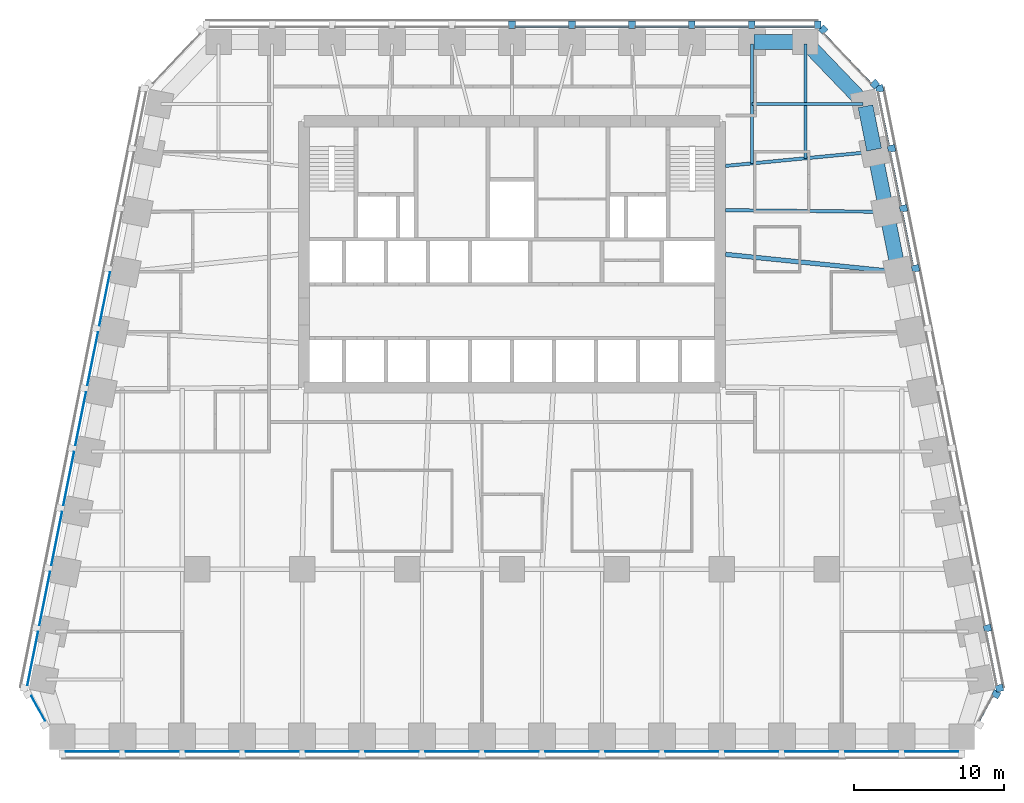
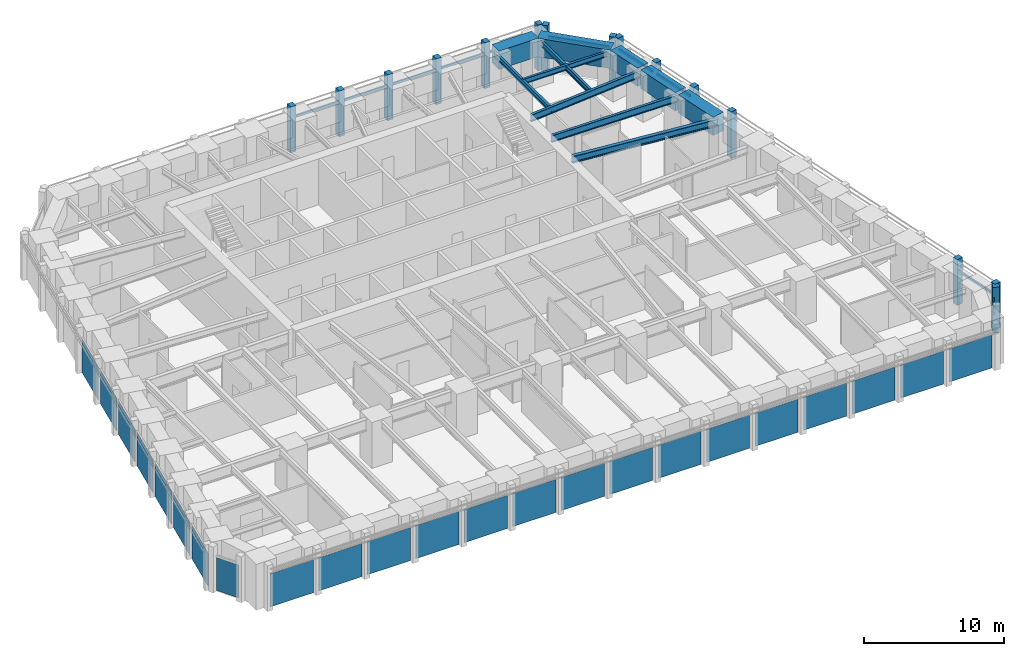
# One storey, part 4 of 10: 26 members, 23 plates, 11 beams, 7 elements without a shape of their own.
"""IFC4 building model written with IfcOpenShell, lengths in metres."""

from ifc_helpers import new_model, si_unit, direction, frame, origin, origin_2d, place, context, subcontext, project, spatial, rectangle, i_section, extrude, material, layer, layer_set, material_profile, profile_set, type_object, element, aggregate, save


model = new_model("IFC4")

# Units and contexts
model_context = context("Model", 3, precision=1e-05, world=origin(), true_north=direction((0.0, 1.0)))
body_context = subcontext(model_context, "Body", "Model", "MODEL_VIEW")
ifc_project = project(units=[si_unit("LENGTHUNIT", "METRE"), si_unit("AREAUNIT", "SQUARE_METRE"), si_unit("VOLUMEUNIT", "CUBIC_METRE"), si_unit("PLANEANGLEUNIT", "RADIAN"), si_unit("MASSUNIT", "GRAM", prefix="KILO")], contexts=[model_context])

# Site, building, storey
site_placement = place(None, origin())
site = spatial("IfcSite", under=ifc_project, at=site_placement, CompositionType="ELEMENT")
building_placement = place(site_placement, origin())
building = spatial("IfcBuilding", under=site, at=building_placement, Name="Isbrekke Arena Tower", CompositionType="ELEMENT")
storey_placement = place(building_placement, frame((0.0, 0.0, 115.0)))
storey = spatial("IfcBuildingStorey", under=building, at=storey_placement, Name="L25", CompositionType="ELEMENT", Elevation=115.0)

# Beams
ifc_material_1 = material(Name="Steel S355", Category="steel")
ifc_material_profile_1 = material_profile(ifc_material_1, i_section(OverallWidth=0.219970703125, OverallDepth=0.60009765625, WebThickness=0.011962890625, FlangeThickness=0.01904296875, FilletRadius=0.02392578125, at=origin_2d()), Name="IPE 600")
ifc_profile_set_1 = profile_set([ifc_material_profile_1], Name="Steel S355")
beam_type_1 = type_object("IfcBeamType", Name="B1 IPE 600", PredefinedType="BEAM", material=ifc_profile_set_1)
beam_1_placement = place(storey_placement, frame((24.83984375, 17.838134765625, 3.550048828125), z_axis=(-0.999944260169, 0.010558245831, 0.0), x_axis=(-0.010558245831, -0.999944260169, 0.0)))
element("IfcBeam", 1, at=beam_1_placement, inside=storey, type_object=beam_type_1, Name="B1 beam E-E09 L25", PredefinedType="BEAM", context=body_context, shape_type="SweptSolid", body=[
    extrude(i_section(OverallWidth=0.219970703125, OverallDepth=0.60009765625, WebThickness=0.011962890625, FlangeThickness=0.01904296875, FilletRadius=0.02392578125, at=origin_2d()), origin(), (0.0, 0.0, 1.0), 10.59033203125),
])
beam_2_placement = place(storey_placement, frame((24.030517578125, 21.837158203125, 3.550048828125), z_axis=(-0.995439798606, -0.095391862082, 0.0), x_axis=(0.095391862082, -0.995439798606, 0.0)))
element("IfcBeam", 2, at=beam_2_placement, inside=storey, type_object=beam_type_1, Name="B1 beam E-E10 L25", PredefinedType="BEAM", context=body_context, shape_type="SweptSolid", body=[
    extrude(i_section(OverallWidth=0.219970703125, OverallDepth=0.60009765625, WebThickness=0.011962890625, FlangeThickness=0.01904296875, FilletRadius=0.02392578125, at=origin_2d()), origin(), (0.0, 0.0, 1.0), 9.825439453125),
])
ifc_material_2 = material(Name="Steel S355", Category="steel")
ifc_material_profile_2 = material_profile(ifc_material_2, i_section(OverallWidth=0.18994140625, OverallDepth=0.449951171875, WebThickness=0.009521484375, FlangeThickness=0.0146484375, FilletRadius=0.02099609375, at=origin_2d()), Name="IPE 450")
ifc_profile_set_2 = profile_set([ifc_material_profile_2], Name="Steel S355")
beam_type_2 = type_object("IfcBeamType", Name="B2 IPE 450", PredefinedType="BEAM", material=ifc_profile_set_2)
beam_3_placement = place(storey_placement, frame((23.40283203125, 25.029296875, 3.625), z_axis=(-1.0, 0.0, 0.0), x_axis=(0.0, -1.0, 0.0)))
element("IfcBeam", 3, at=beam_3_placement, inside=storey, type_object=beam_type_2, Name="B2 beam E-E11 L25", PredefinedType="BEAM", context=body_context, shape_type="SweptSolid", body=[
    extrude(i_section(OverallWidth=0.18994140625, OverallDepth=0.449951171875, WebThickness=0.009521484375, FlangeThickness=0.0146484375, FilletRadius=0.02099609375, at=origin_2d()), origin(), (0.0, 0.0, 1.0), 7.40283203125),
])
ifc_material_3 = material(Name="Steel S355", Category="steel")
ifc_material_profile_3 = material_profile(ifc_material_3, i_section(OverallWidth=0.18994140625, OverallDepth=0.449951171875, WebThickness=0.009521484375, FlangeThickness=0.0146484375, FilletRadius=0.02099609375, at=origin_2d()), Name="IPE 450")
ifc_profile_set_3 = profile_set([ifc_material_profile_3], Name="Steel S355")
beam_type_3 = type_object("IfcBeamType", Name="B3 IPE 450", PredefinedType="BEAM", material=ifc_profile_set_3)
beam_4_placement = place(storey_placement, frame((19.574951171875, 29.02490234375, 3.625), z_axis=(0.0, -1.0, 0.0), x_axis=(1.0, 0.0, 0.0)))
element("IfcBeam", 4, at=beam_4_placement, inside=storey, type_object=beam_type_3, Name="B3 beam N-N01 L25", PredefinedType="BEAM", context=body_context, shape_type="SweptSolid", body=[
    extrude(i_section(OverallWidth=0.18994140625, OverallDepth=0.449951171875, WebThickness=0.009521484375, FlangeThickness=0.0146484375, FilletRadius=0.02099609375, at=origin_2d()), origin(), (0.0, 0.0, 1.0), 7.61474609375),
])
beam_5_placement = place(storey_placement, frame((16.0, 29.02490234375, 3.625), z_axis=(0.0, -1.0, 0.0), x_axis=(1.0, 0.0, 0.0)))
element("IfcBeam", 5, at=beam_5_placement, inside=storey, type_object=beam_type_3, Name="B3 beam N-N02 L25", PredefinedType="BEAM", context=body_context, shape_type="SweptSolid", body=[
    extrude(i_section(OverallWidth=0.18994140625, OverallDepth=0.449951171875, WebThickness=0.009521484375, FlangeThickness=0.0146484375, FilletRadius=0.02099609375, at=origin_2d()), origin(), (0.0, 0.0, 1.0), 7.957275390625),
])
ifc_material_4 = material(Name="Steel S355", Category="steel")
ifc_material_profile_4 = material_profile(ifc_material_4, i_section(OverallWidth=0.300048828125, OverallDepth=0.60009765625, WebThickness=0.015380859375, FlangeThickness=0.030029296875, FilletRadius=0.027099609375, at=origin_2d()), Name="HEB 600")
ifc_profile_set_4 = profile_set([ifc_material_profile_4], Name="Steel S355")
beam_type_4 = type_object("IfcBeamType", Name="B7 HEB 600", PredefinedType="BEAM", material=ifc_profile_set_4)
beam_6_placement = place(storey_placement, frame((25.6259765625, 13.83984375, 3.550048828125), z_axis=(-0.994839949319, 0.10145676537, 0.0), x_axis=(-0.10145676537, -0.994839949319, 0.0)))
element("IfcBeam", 6, at=beam_6_placement, inside=storey, type_object=beam_type_4, Name="B7 beam E-E08 L25", PredefinedType="BEAM", context=body_context, shape_type="SweptSolid", body=[
    extrude(i_section(OverallWidth=0.300048828125, OverallDepth=0.60009765625, WebThickness=0.015380859375, FlangeThickness=0.030029296875, FilletRadius=0.027099609375, at=origin_2d()), origin(), (0.0, 0.0, 1.0), 11.43505859375),
])

# Curtain wall, member
ifc_material_5 = material(Name="Glazed aluminium curtain wall", Category="aluminium")
curtain_wall_type = type_object("IfcCurtainWallType", Name="CWM TOWER CURTAIN WALL MID ZONE", PredefinedType="USERDEFINED", material=ifc_material_5)
curtain_wall_1_placement = place(storey_placement, origin())
curtain_wall_1 = element("IfcCurtainWall", 7, at=curtain_wall_1_placement, inside=storey, type_object=curtain_wall_type, Name="CWM curtain wall L25-SE", ObjectType="TOWER CURTAIN WALL MID ZONE", PredefinedType="USERDEFINED")
ifc_material_6 = material(Name="Aluminium mullion, pale brick slip cladding", Category="masonry")
ifc_material_profile_5 = material_profile(ifc_material_6, rectangle(XDim=0.449951171875, YDim=0.5, at=origin_2d()), Name="PIER 450X500")
ifc_profile_set_5 = profile_set([ifc_material_profile_5], Name="Aluminium mullion, pale brick slip cladding")
member_type_1 = type_object("IfcMemberType", Name="CWM-M PIER MULLION 450 x 500", PredefinedType="MULLION", material=ifc_profile_set_5)
member_1_placement = place(storey_placement, frame((32.296142578125, -14.34375, 0.0), z_axis=(0.0, 0.0, 1.0), x_axis=(0.481918749773, 0.876215908676, 0.0)))
member_1 = element("IfcMember", 8, at=member_1_placement, type_object=member_type_1, Name="CWM-M mullion 2", PredefinedType="MULLION", context=body_context, shape_type="SweptSolid", body=[
    extrude(rectangle(XDim=0.449951171875, YDim=0.5, at=origin_2d()), origin(), (0.0, 0.0, 1.0), 4.0),
])

# Curtain wall, members
curtain_wall_2_placement = place(storey_placement, origin())
curtain_wall_2 = element("IfcCurtainWall", 9, at=curtain_wall_2_placement, inside=storey, type_object=curtain_wall_type, Name="CWM curtain wall L25-E", ObjectType="TOWER CURTAIN WALL MID ZONE", PredefinedType="USERDEFINED")
member_2_placement = place(storey_placement, frame((32.518798828125, -13.936279296875, 0.0), z_axis=(0.0, 0.0, 1.0), x_axis=(-0.196116135138, 0.980580675691, 0.0)))
member_2 = element("IfcMember", 10, at=member_2_placement, type_object=member_type_1, Name="CWM-M mullion 1", PredefinedType="MULLION", context=body_context, shape_type="SweptSolid", body=[
    extrude(rectangle(XDim=0.449951171875, YDim=0.5, at=origin_2d()), origin(), (0.0, 0.0, 1.0), 4.0),
])
member_3_placement = place(storey_placement, frame((31.71875, -9.936279296875, 0.0), z_axis=(0.0, 0.0, 1.0), x_axis=(-0.196116135138, 0.980580675691, 0.0)))
member_3 = element("IfcMember", 11, at=member_3_placement, type_object=member_type_1, Name="CWM-M mullion 2", PredefinedType="MULLION", context=body_context, shape_type="SweptSolid", body=[
    extrude(rectangle(XDim=0.449951171875, YDim=0.5, at=origin_2d()), origin(), (0.0, 0.0, 1.0), 4.0),
])
member_4_placement = place(storey_placement, frame((26.918701171875, 14.063720703125, 0.0), z_axis=(0.0, 0.0, 1.0), x_axis=(-0.196116135138, 0.980580675691, 0.0)))
member_4 = element("IfcMember", 12, at=member_4_placement, type_object=member_type_1, Name="CWM-M mullion 8", PredefinedType="MULLION", context=body_context, shape_type="SweptSolid", body=[
    extrude(rectangle(XDim=0.449951171875, YDim=0.5, at=origin_2d()), origin(), (0.0, 0.0, 1.0), 4.0),
])
member_5_placement = place(storey_placement, frame((26.11865234375, 18.063720703125, 0.0), z_axis=(0.0, 0.0, 1.0), x_axis=(-0.196116135138, 0.980580675691, 0.0)))
member_5 = element("IfcMember", 13, at=member_5_placement, type_object=member_type_1, Name="CWM-M mullion 9", PredefinedType="MULLION", context=body_context, shape_type="SweptSolid", body=[
    extrude(rectangle(XDim=0.449951171875, YDim=0.5, at=origin_2d()), origin(), (0.0, 0.0, 1.0), 4.0),
])
member_6_placement = place(storey_placement, frame((25.318603515625, 22.063720703125, 0.0), z_axis=(0.0, 0.0, 1.0), x_axis=(-0.196116135138, 0.980580675691, 0.0)))
member_6 = element("IfcMember", 14, at=member_6_placement, type_object=member_type_1, Name="CWM-M mullion 10", PredefinedType="MULLION", context=body_context, shape_type="SweptSolid", body=[
    extrude(rectangle(XDim=0.449951171875, YDim=0.5, at=origin_2d()), origin(), (0.0, 0.0, 1.0), 4.0),
])
member_7_placement = place(storey_placement, frame((24.518798828125, 26.063720703125, 0.0), z_axis=(0.0, 0.0, 1.0), x_axis=(-0.196116135138, 0.980580675691, 0.0)))
member_7 = element("IfcMember", 15, at=member_7_placement, type_object=member_type_1, Name="CWM-M mullion 11", PredefinedType="MULLION", context=body_context, shape_type="SweptSolid", body=[
    extrude(rectangle(XDim=0.449951171875, YDim=0.5, at=origin_2d()), origin(), (0.0, 0.0, 1.0), 4.0),
])

curtain_wall_3_placement = place(storey_placement, origin())
curtain_wall_3 = element("IfcCurtainWall", 16, at=curtain_wall_3_placement, inside=storey, type_object=curtain_wall_type, Name="CWM curtain wall L25-EN", ObjectType="TOWER CURTAIN WALL MID ZONE", PredefinedType="USERDEFINED")
member_8_placement = place(storey_placement, frame((24.208251953125, 26.354248046875, 0.0), z_axis=(0.0, 0.0, 1.0), x_axis=(-0.68874946192, 0.72499943359, 0.0)))
member_8 = element("IfcMember", 17, at=member_8_placement, type_object=member_type_1, Name="CWM-M mullion 1", PredefinedType="MULLION", context=body_context, shape_type="SweptSolid", body=[
    extrude(rectangle(XDim=0.449951171875, YDim=0.5, at=origin_2d()), origin(), (0.0, 0.0, 1.0), 4.0),
])
member_9_placement = place(storey_placement, frame((20.7587890625, 29.9853515625, 0.0), z_axis=(0.0, 0.0, 1.0), x_axis=(-0.68874946192, 0.72499943359, 0.0)))
member_9 = element("IfcMember", 18, at=member_9_placement, type_object=member_type_1, Name="CWM-M mullion 2", PredefinedType="MULLION", context=body_context, shape_type="SweptSolid", body=[
    extrude(rectangle(XDim=0.449951171875, YDim=0.5, at=origin_2d()), origin(), (0.0, 0.0, 1.0), 4.0),
])

curtain_wall_4_placement = place(storey_placement, origin())
curtain_wall_4 = element("IfcCurtainWall", 19, at=curtain_wall_4_placement, inside=storey, type_object=curtain_wall_type, Name="CWM curtain wall L25-N", ObjectType="TOWER CURTAIN WALL MID ZONE", PredefinedType="USERDEFINED")
member_10_placement = place(storey_placement, frame((20.39990234375, 30.324951171875, 0.0), z_axis=(0.0, 0.0, 1.0), x_axis=(-1.0, 0.0, 0.0)))
member_10 = element("IfcMember", 20, at=member_10_placement, type_object=member_type_1, Name="CWM-M mullion 1", PredefinedType="MULLION", context=body_context, shape_type="SweptSolid", body=[
    extrude(rectangle(XDim=0.449951171875, YDim=0.5, at=origin_2d()), origin(), (0.0, 0.0, 1.0), 4.0),
])
member_11_placement = place(storey_placement, frame((16.0, 30.324951171875, 0.0), z_axis=(0.0, 0.0, 1.0), x_axis=(-1.0, 0.0, 0.0)))
member_11 = element("IfcMember", 21, at=member_11_placement, type_object=member_type_1, Name="CWM-M mullion 2", PredefinedType="MULLION", context=body_context, shape_type="SweptSolid", body=[
    extrude(rectangle(XDim=0.449951171875, YDim=0.5, at=origin_2d()), origin(), (0.0, 0.0, 1.0), 4.0),
])
member_12_placement = place(storey_placement, frame((12.0, 30.324951171875, 0.0), z_axis=(0.0, 0.0, 1.0), x_axis=(-1.0, 0.0, 0.0)))
member_12 = element("IfcMember", 22, at=member_12_placement, type_object=member_type_1, Name="CWM-M mullion 3", PredefinedType="MULLION", context=body_context, shape_type="SweptSolid", body=[
    extrude(rectangle(XDim=0.449951171875, YDim=0.5, at=origin_2d()), origin(), (0.0, 0.0, 1.0), 4.0),
])
member_13_placement = place(storey_placement, frame((8.0, 30.324951171875, 0.0), z_axis=(0.0, 0.0, 1.0), x_axis=(-1.0, 0.0, 0.0)))
member_13 = element("IfcMember", 23, at=member_13_placement, type_object=member_type_1, Name="CWM-M mullion 4", PredefinedType="MULLION", context=body_context, shape_type="SweptSolid", body=[
    extrude(rectangle(XDim=0.449951171875, YDim=0.5, at=origin_2d()), origin(), (0.0, 0.0, 1.0), 4.0),
])
member_14_placement = place(storey_placement, frame((4.0, 30.324951171875, 0.0), z_axis=(0.0, 0.0, 1.0), x_axis=(-1.0, 0.0, 0.0)))
member_14 = element("IfcMember", 24, at=member_14_placement, type_object=member_type_1, Name="CWM-M mullion 5", PredefinedType="MULLION", context=body_context, shape_type="SweptSolid", body=[
    extrude(rectangle(XDim=0.449951171875, YDim=0.5, at=origin_2d()), origin(), (0.0, 0.0, 1.0), 4.0),
])
member_15_placement = place(storey_placement, frame((0.0, 30.324951171875, 0.0), z_axis=(0.0, 0.0, 1.0), x_axis=(-1.0, 0.0, 0.0)))
member_15 = element("IfcMember", 25, at=member_15_placement, type_object=member_type_1, Name="CWM-M mullion 6", PredefinedType="MULLION", context=body_context, shape_type="SweptSolid", body=[
    extrude(rectangle(XDim=0.449951171875, YDim=0.5, at=origin_2d()), origin(), (0.0, 0.0, 1.0), 4.0),
])

# Member
ifc_material_7 = material(Name="Aluminium transom", Category="aluminium")
ifc_material_profile_6 = material_profile(ifc_material_7, rectangle(XDim=0.1201171875, YDim=0.199951171875, at=origin_2d()), Name="TRANSOM 120X200")
ifc_profile_set_6 = profile_set([ifc_material_profile_6], Name="Aluminium transom")
member_type_2 = type_object("IfcMemberType", Name="CWM-T TRANSOM 120 x 200", PredefinedType="USERDEFINED", material=ifc_profile_set_6)
member_16_placement = place(storey_placement, frame((31.152099609375, -16.112548828125, 3.0), z_axis=(0.482003669577, 0.876169197424, 0.0), x_axis=(-0.876169197424, 0.482003669577, 0.0)))
member_16 = element("IfcMember", 26, at=member_16_placement, type_object=member_type_2, Name="CWM-T transom 1", ObjectType="TRANSOM", PredefinedType="USERDEFINED", context=body_context, shape_type="SweptSolid", body=[
    extrude(rectangle(XDim=0.1201171875, YDim=0.199951171875, at=origin_2d()), origin(), (0.0, 0.0, 1.0), 1.876220703125),
])

aggregate(curtain_wall_1, [member_1, member_16])

member_17_placement = place(storey_placement, frame((32.327392578125, -13.7451171875, 3.0), z_axis=(-0.196090262229, 0.980585849918, 0.0), x_axis=(-0.980585849918, -0.196090262229, 0.0)))
member_17 = element("IfcMember", 27, at=member_17_placement, type_object=member_type_2, Name="CWM-T transom 1", ObjectType="TRANSOM", PredefinedType="USERDEFINED", context=body_context, shape_type="SweptSolid", body=[
    extrude(rectangle(XDim=0.1201171875, YDim=0.199951171875, at=origin_2d()), origin(), (0.0, 0.0, 1.0), 3.62939453125),
])

member_18_placement = place(storey_placement, frame((26.7275390625, 14.2548828125, 3.0), z_axis=(-0.196154943734, 0.980572913173, 0.0), x_axis=(-0.980572913173, -0.196154943734, 0.0)))
member_18 = element("IfcMember", 28, at=member_18_placement, type_object=member_type_2, Name="CWM-T transom 8", ObjectType="TRANSOM", PredefinedType="USERDEFINED", context=body_context, shape_type="SweptSolid", body=[
    extrude(rectangle(XDim=0.1201171875, YDim=0.199951171875, at=origin_2d()), origin(), (0.0, 0.0, 1.0), 3.62939453125),
])

member_19_placement = place(storey_placement, frame((25.927490234375, 18.2548828125, 3.0), z_axis=(-0.196090262229, 0.980585849918, 0.0), x_axis=(-0.980585849918, -0.196090262229, 0.0)))
member_19 = element("IfcMember", 29, at=member_19_placement, type_object=member_type_2, Name="CWM-T transom 9", ObjectType="TRANSOM", PredefinedType="USERDEFINED", context=body_context, shape_type="SweptSolid", body=[
    extrude(rectangle(XDim=0.1201171875, YDim=0.199951171875, at=origin_2d()), origin(), (0.0, 0.0, 1.0), 3.62939453125),
])

member_20_placement = place(storey_placement, frame((25.12744140625, 22.2548828125, 3.0), z_axis=(-0.196090262229, 0.980585849918, 0.0), x_axis=(-0.980585849918, -0.196090262229, 0.0)))
member_20 = element("IfcMember", 30, at=member_20_placement, type_object=member_type_2, Name="CWM-T transom 10", ObjectType="TRANSOM", PredefinedType="USERDEFINED", context=body_context, shape_type="SweptSolid", body=[
    extrude(rectangle(XDim=0.1201171875, YDim=0.199951171875, at=origin_2d()), origin(), (0.0, 0.0, 1.0), 3.62939453125),
])

aggregate(curtain_wall_2, [member_2, member_3, member_4, member_5, member_6, member_7, member_17, member_18, member_19, member_20])

member_21_placement = place(storey_placement, frame((23.944580078125, 26.4140625, 3.0), z_axis=(-0.688771983213, 0.724978037696, 0.0), x_axis=(-0.724978037696, -0.688771983213, 0.0)))
member_21 = element("IfcMember", 31, at=member_21_placement, type_object=member_type_2, Name="CWM-T transom 1", ObjectType="TRANSOM", PredefinedType="USERDEFINED", context=body_context, shape_type="SweptSolid", body=[
    extrude(rectangle(XDim=0.1201171875, YDim=0.199951171875, at=origin_2d()), origin(), (0.0, 0.0, 1.0), 4.558349609375),
])

aggregate(curtain_wall_3, [member_8, member_9, member_21])

member_22_placement = place(storey_placement, frame((20.175048828125, 30.175048828125, 3.0), z_axis=(-1.0, 0.0, 0.0), x_axis=(0.0, -1.0, 0.0)))
member_22 = element("IfcMember", 32, at=member_22_placement, type_object=member_type_2, Name="CWM-T transom 1", ObjectType="TRANSOM", PredefinedType="USERDEFINED", context=body_context, shape_type="SweptSolid", body=[
    extrude(rectangle(XDim=0.1201171875, YDim=0.199951171875, at=origin_2d()), origin(), (0.0, 0.0, 1.0), 3.949951171875),
])

member_23_placement = place(storey_placement, frame((15.77490234375, 30.175048828125, 3.0), z_axis=(-1.0, 0.0, 0.0), x_axis=(0.0, -1.0, 0.0)))
member_23 = element("IfcMember", 33, at=member_23_placement, type_object=member_type_2, Name="CWM-T transom 2", ObjectType="TRANSOM", PredefinedType="USERDEFINED", context=body_context, shape_type="SweptSolid", body=[
    extrude(rectangle(XDim=0.1201171875, YDim=0.199951171875, at=origin_2d()), origin(), (0.0, 0.0, 1.0), 3.5498046875),
])

member_24_placement = place(storey_placement, frame((11.77490234375, 30.175048828125, 3.0), z_axis=(-1.0, 0.0, 0.0), x_axis=(0.0, -1.0, 0.0)))
member_24 = element("IfcMember", 34, at=member_24_placement, type_object=member_type_2, Name="CWM-T transom 3", ObjectType="TRANSOM", PredefinedType="USERDEFINED", context=body_context, shape_type="SweptSolid", body=[
    extrude(rectangle(XDim=0.1201171875, YDim=0.199951171875, at=origin_2d()), origin(), (0.0, 0.0, 1.0), 3.5498046875),
])

member_25_placement = place(storey_placement, frame((7.77490234375, 30.175048828125, 3.0), z_axis=(-1.0, 0.0, 0.0), x_axis=(0.0, -1.0, 0.0)))
member_25 = element("IfcMember", 35, at=member_25_placement, type_object=member_type_2, Name="CWM-T transom 4", ObjectType="TRANSOM", PredefinedType="USERDEFINED", context=body_context, shape_type="SweptSolid", body=[
    extrude(rectangle(XDim=0.1201171875, YDim=0.199951171875, at=origin_2d()), origin(), (0.0, 0.0, 1.0), 3.5498046875),
])

member_26_placement = place(storey_placement, frame((3.77490234375, 30.175048828125, 3.0), z_axis=(-1.0, 0.0, 0.0), x_axis=(0.0, -1.0, 0.0)))
member_26 = element("IfcMember", 36, at=member_26_placement, type_object=member_type_2, Name="CWM-T transom 5", ObjectType="TRANSOM", PredefinedType="USERDEFINED", context=body_context, shape_type="SweptSolid", body=[
    extrude(rectangle(XDim=0.1201171875, YDim=0.199951171875, at=origin_2d()), origin(), (0.0, 0.0, 1.0), 3.5498046875),
])

aggregate(curtain_wall_4, [member_10, member_11, member_12, member_13, member_14, member_15, member_22, member_23, member_24, member_25, member_26])

# Beams
ifc_material_8 = material(Name="Concrete B80 (C80/95)", Category="concrete")
ifc_material_profile_7 = material_profile(ifc_material_8, rectangle(XDim=1.0, YDim=1.60009765625, at=origin_2d()), Name="RC 1000x1600")
ifc_profile_set_7 = profile_set([ifc_material_profile_7], Name="Concrete B80 (C80/95)")
beam_type_5 = type_object("IfcBeamType", Name="SB2 RC 1000 x 1600", PredefinedType="SPANDREL", material=ifc_profile_set_7)
for number, where, z_axis, x_axis, name in (
    (37, (25.76171875, 13.9853515625, 3.199951171875), (-0.196128558387, 0.980578190959, 0.0), (-0.980578190959, -0.196128558387, 0.0), "SB2 spandrel E08-E09 L25"),
    (38, (24.961669921875, 17.9853515625, 3.199951171875), (-0.196128558387, 0.980578190959, 0.0), (-0.980578190959, -0.196128558387, 0.0), "SB2 spandrel E09-E10 L25"),
):
    element("IfcBeam", number, at=place(storey_placement, frame(where, z_axis=z_axis, x_axis=x_axis)), inside=storey, type_object=beam_type_5, Name=name, PredefinedType="SPANDREL", context=body_context, shape_type="SweptSolid", body=[
        extrude(rectangle(XDim=1.0, YDim=1.60009765625, at=origin_2d()), origin(), (0.0, 0.0, 1.0), 3.779296875),
    ])
beam_7_placement = place(storey_placement, frame((24.16162109375, 21.9853515625, 3.199951171875), z_axis=(-0.196116135138, 0.980580675691, 0.0), x_axis=(-0.980580675691, -0.196116135138, 0.0)))
element("IfcBeam", 39, at=beam_7_placement, inside=storey, type_object=beam_type_5, Name="SB2 spandrel E10-E11 L25", PredefinedType="SPANDREL", context=body_context, shape_type="SweptSolid", body=[
    extrude(rectangle(XDim=1.0, YDim=1.60009765625, at=origin_2d()), origin(), (0.0, 0.0, 1.0), 2.9541015625),
])
beam_8_placement = place(storey_placement, frame((23.448974609375, 25.137451171875, 3.199951171875), z_axis=(-0.692339547635, 0.721571861134, 0.0), x_axis=(-0.721571861134, -0.692339547635, 0.0)))
element("IfcBeam", 40, at=beam_8_placement, inside=storey, type_object=beam_type_5, Name="SB2 spandrel E11-N01 L25", PredefinedType="SPANDREL", context=body_context, shape_type="SweptSolid", body=[
    extrude(rectangle(XDim=1.0, YDim=1.60009765625, at=origin_2d()), origin(), (0.0, 0.0, 1.0), 5.4453125),
])
beam_9_placement = place(storey_placement, frame((19.425048828125, 29.175048828125, 3.199951171875), z_axis=(-1.0, 0.0, 0.0), x_axis=(0.0, -1.0, 0.0)))
element("IfcBeam", 41, at=beam_9_placement, inside=storey, type_object=beam_type_5, Name="SB2 spandrel N01-N02 L25", PredefinedType="SPANDREL", context=body_context, shape_type="SweptSolid", body=[
    extrude(rectangle(XDim=1.0, YDim=1.60009765625, at=origin_2d()), origin(), (0.0, 0.0, 1.0), 3.275146484375),
])

# Curtain wall, plates
curtain_wall_5_placement = place(storey_placement, origin())
curtain_wall_5 = element("IfcCurtainWall", 42, at=curtain_wall_5_placement, inside=storey, type_object=curtain_wall_type, Name="CWM curtain wall L25-S", ObjectType="TOWER CURTAIN WALL MID ZONE", PredefinedType="USERDEFINED")
ifc_material_9 = material(Name="Triple-glazed clear glass unit", Category="glass")
ifc_layer = layer(ifc_material_9, 0.031982421875)
ifc_layer_set = layer_set([ifc_layer], Name="CWM-P VISION PANEL")
plate_type = type_object("IfcPlateType", Name="CWM-P VISION PANEL", PredefinedType="CURTAIN_PANEL", material=ifc_layer_set)
plate_1_placement = place(storey_placement, frame((-28.0, -18.175048828125, 0.02001953125), z_axis=(0.0, 0.0, 1.0), x_axis=(1.0, 0.0, 0.0)))
plate_1 = element("IfcPlate", 43, at=plate_1_placement, type_object=plate_type, Name="CWM-P panel 1", PredefinedType="CURTAIN_PANEL", context=body_context, shape_type="SweptSolid", body=[
    extrude(rectangle(XDim=3.550048828125, YDim=0.031982421875, at=origin_2d()), origin(), (0.0, 0.0, 1.0), 2.8798828125),
])
plate_2_placement = place(storey_placement, frame((-24.0, -18.175048828125, 0.02001953125), z_axis=(0.0, 0.0, 1.0), x_axis=(1.0, 0.0, 0.0)))
plate_2 = element("IfcPlate", 44, at=plate_2_placement, type_object=plate_type, Name="CWM-P panel 2", PredefinedType="CURTAIN_PANEL", context=body_context, shape_type="SweptSolid", body=[
    extrude(rectangle(XDim=3.550048828125, YDim=0.031982421875, at=origin_2d()), origin(), (0.0, 0.0, 1.0), 2.8798828125),
])
plate_3_placement = place(storey_placement, frame((-20.0, -18.175048828125, 0.02001953125), z_axis=(0.0, 0.0, 1.0), x_axis=(1.0, 0.0, 0.0)))
plate_3 = element("IfcPlate", 45, at=plate_3_placement, type_object=plate_type, Name="CWM-P panel 3", PredefinedType="CURTAIN_PANEL", context=body_context, shape_type="SweptSolid", body=[
    extrude(rectangle(XDim=3.550048828125, YDim=0.031982421875, at=origin_2d()), origin(), (0.0, 0.0, 1.0), 2.8798828125),
])
plate_4_placement = place(storey_placement, frame((-16.0, -18.175048828125, 0.02001953125), z_axis=(0.0, 0.0, 1.0), x_axis=(1.0, 0.0, 0.0)))
plate_4 = element("IfcPlate", 46, at=plate_4_placement, type_object=plate_type, Name="CWM-P panel 4", PredefinedType="CURTAIN_PANEL", context=body_context, shape_type="SweptSolid", body=[
    extrude(rectangle(XDim=3.550048828125, YDim=0.031982421875, at=origin_2d()), origin(), (0.0, 0.0, 1.0), 2.8798828125),
])
plate_5_placement = place(storey_placement, frame((-12.0, -18.175048828125, 0.02001953125), z_axis=(0.0, 0.0, 1.0), x_axis=(1.0, 0.0, 0.0)))
plate_5 = element("IfcPlate", 47, at=plate_5_placement, type_object=plate_type, Name="CWM-P panel 5", PredefinedType="CURTAIN_PANEL", context=body_context, shape_type="SweptSolid", body=[
    extrude(rectangle(XDim=3.550048828125, YDim=0.031982421875, at=origin_2d()), origin(), (0.0, 0.0, 1.0), 2.8798828125),
])
plate_6_placement = place(storey_placement, frame((-8.0, -18.175048828125, 0.02001953125), z_axis=(0.0, 0.0, 1.0), x_axis=(1.0, 0.0, 0.0)))
plate_6 = element("IfcPlate", 48, at=plate_6_placement, type_object=plate_type, Name="CWM-P panel 6", PredefinedType="CURTAIN_PANEL", context=body_context, shape_type="SweptSolid", body=[
    extrude(rectangle(XDim=3.550048828125, YDim=0.031982421875, at=origin_2d()), origin(), (0.0, 0.0, 1.0), 2.8798828125),
])
plate_7_placement = place(storey_placement, frame((-4.0, -18.175048828125, 0.02001953125), z_axis=(0.0, 0.0, 1.0), x_axis=(1.0, 0.0, 0.0)))
plate_7 = element("IfcPlate", 49, at=plate_7_placement, type_object=plate_type, Name="CWM-P panel 7", PredefinedType="CURTAIN_PANEL", context=body_context, shape_type="SweptSolid", body=[
    extrude(rectangle(XDim=3.550048828125, YDim=0.031982421875, at=origin_2d()), origin(), (0.0, 0.0, 1.0), 2.8798828125),
])
plate_8_placement = place(storey_placement, frame((0.0, -18.175048828125, 0.02001953125), z_axis=(0.0, 0.0, 1.0), x_axis=(1.0, 0.0, 0.0)))
plate_8 = element("IfcPlate", 50, at=plate_8_placement, type_object=plate_type, Name="CWM-P panel 8", PredefinedType="CURTAIN_PANEL", context=body_context, shape_type="SweptSolid", body=[
    extrude(rectangle(XDim=3.550048828125, YDim=0.031982421875, at=origin_2d()), origin(), (0.0, 0.0, 1.0), 2.8798828125),
])
plate_9_placement = place(storey_placement, frame((4.0, -18.175048828125, 0.02001953125), z_axis=(0.0, 0.0, 1.0), x_axis=(1.0, 0.0, 0.0)))
plate_9 = element("IfcPlate", 51, at=plate_9_placement, type_object=plate_type, Name="CWM-P panel 9", PredefinedType="CURTAIN_PANEL", context=body_context, shape_type="SweptSolid", body=[
    extrude(rectangle(XDim=3.550048828125, YDim=0.031982421875, at=origin_2d()), origin(), (0.0, 0.0, 1.0), 2.8798828125),
])
plate_10_placement = place(storey_placement, frame((8.0, -18.175048828125, 0.02001953125), z_axis=(0.0, 0.0, 1.0), x_axis=(1.0, 0.0, 0.0)))
plate_10 = element("IfcPlate", 52, at=plate_10_placement, type_object=plate_type, Name="CWM-P panel 10", PredefinedType="CURTAIN_PANEL", context=body_context, shape_type="SweptSolid", body=[
    extrude(rectangle(XDim=3.550048828125, YDim=0.031982421875, at=origin_2d()), origin(), (0.0, 0.0, 1.0), 2.8798828125),
])
plate_11_placement = place(storey_placement, frame((12.0, -18.175048828125, 0.02001953125), z_axis=(0.0, 0.0, 1.0), x_axis=(1.0, 0.0, 0.0)))
plate_11 = element("IfcPlate", 53, at=plate_11_placement, type_object=plate_type, Name="CWM-P panel 11", PredefinedType="CURTAIN_PANEL", context=body_context, shape_type="SweptSolid", body=[
    extrude(rectangle(XDim=3.550048828125, YDim=0.031982421875, at=origin_2d()), origin(), (0.0, 0.0, 1.0), 2.8798828125),
])
plate_12_placement = place(storey_placement, frame((16.0, -18.175048828125, 0.02001953125), z_axis=(0.0, 0.0, 1.0), x_axis=(1.0, 0.0, 0.0)))
plate_12 = element("IfcPlate", 54, at=plate_12_placement, type_object=plate_type, Name="CWM-P panel 12", PredefinedType="CURTAIN_PANEL", context=body_context, shape_type="SweptSolid", body=[
    extrude(rectangle(XDim=3.550048828125, YDim=0.031982421875, at=origin_2d()), origin(), (0.0, 0.0, 1.0), 2.8798828125),
])
plate_13_placement = place(storey_placement, frame((20.0, -18.175048828125, 0.02001953125), z_axis=(0.0, 0.0, 1.0), x_axis=(1.0, 0.0, 0.0)))
plate_13 = element("IfcPlate", 55, at=plate_13_placement, type_object=plate_type, Name="CWM-P panel 13", PredefinedType="CURTAIN_PANEL", context=body_context, shape_type="SweptSolid", body=[
    extrude(rectangle(XDim=3.550048828125, YDim=0.031982421875, at=origin_2d()), origin(), (0.0, 0.0, 1.0), 2.8798828125),
])
plate_14_placement = place(storey_placement, frame((24.0, -18.175048828125, 0.02001953125), z_axis=(0.0, 0.0, 1.0), x_axis=(1.0, 0.0, 0.0)))
plate_14 = element("IfcPlate", 56, at=plate_14_placement, type_object=plate_type, Name="CWM-P panel 14", PredefinedType="CURTAIN_PANEL", context=body_context, shape_type="SweptSolid", body=[
    extrude(rectangle(XDim=3.550048828125, YDim=0.031982421875, at=origin_2d()), origin(), (0.0, 0.0, 1.0), 2.8798828125),
])
plate_15_placement = place(storey_placement, frame((28.0, -18.175048828125, 0.02001953125), z_axis=(0.0, 0.0, 1.0), x_axis=(1.0, 0.0, 0.0)))
plate_15 = element("IfcPlate", 57, at=plate_15_placement, type_object=plate_type, Name="CWM-P panel 15", PredefinedType="CURTAIN_PANEL", context=body_context, shape_type="SweptSolid", body=[
    extrude(rectangle(XDim=3.550048828125, YDim=0.031982421875, at=origin_2d()), origin(), (0.0, 0.0, 1.0), 2.8798828125),
])
aggregate(curtain_wall_5, [plate_1, plate_2, plate_3, plate_4, plate_5, plate_6, plate_7, plate_8, plate_9, plate_10, plate_11, plate_12, plate_13, plate_14, plate_15])

curtain_wall_6_placement = place(storey_placement, origin())
curtain_wall_6 = element("IfcCurtainWall", 58, at=curtain_wall_6_placement, inside=storey, type_object=curtain_wall_type, Name="CWM curtain wall L25-W", ObjectType="TOWER CURTAIN WALL MID ZONE", PredefinedType="USERDEFINED")
plate_16_placement = place(storey_placement, frame((-27.171630859375, 12.034423828125, 0.02001953125), z_axis=(0.0, 0.0, 1.0), x_axis=(-0.196116135138, -0.980580675691, 0.0)))
plate_16 = element("IfcPlate", 59, at=plate_16_placement, type_object=plate_type, Name="CWM-P panel 4", PredefinedType="CURTAIN_PANEL", context=body_context, shape_type="SweptSolid", body=[
    extrude(rectangle(XDim=3.629150390625, YDim=0.031982421875, at=origin_2d()), origin(), (0.0, 0.0, 1.0), 2.8798828125),
])
plate_17_placement = place(storey_placement, frame((-27.9716796875, 8.034423828125, 0.02001953125), z_axis=(0.0, 0.0, 1.0), x_axis=(-0.196116135138, -0.980580675691, 0.0)))
plate_17 = element("IfcPlate", 60, at=plate_17_placement, type_object=plate_type, Name="CWM-P panel 5", PredefinedType="CURTAIN_PANEL", context=body_context, shape_type="SweptSolid", body=[
    extrude(rectangle(XDim=3.629150390625, YDim=0.031982421875, at=origin_2d()), origin(), (0.0, 0.0, 1.0), 2.8798828125),
])
plate_18_placement = place(storey_placement, frame((-28.771484375, 4.034423828125, 0.02001953125), z_axis=(0.0, 0.0, 1.0), x_axis=(-0.196116135138, -0.980580675691, 0.0)))
plate_18 = element("IfcPlate", 61, at=plate_18_placement, type_object=plate_type, Name="CWM-P panel 6", PredefinedType="CURTAIN_PANEL", context=body_context, shape_type="SweptSolid", body=[
    extrude(rectangle(XDim=3.629150390625, YDim=0.031982421875, at=origin_2d()), origin(), (0.0, 0.0, 1.0), 2.8798828125),
])
plate_19_placement = place(storey_placement, frame((-29.571533203125, 0.034423828125, 0.02001953125), z_axis=(0.0, 0.0, 1.0), x_axis=(-0.196116135138, -0.980580675691, 0.0)))
plate_19 = element("IfcPlate", 62, at=plate_19_placement, type_object=plate_type, Name="CWM-P panel 7", PredefinedType="CURTAIN_PANEL", context=body_context, shape_type="SweptSolid", body=[
    extrude(rectangle(XDim=3.629150390625, YDim=0.031982421875, at=origin_2d()), origin(), (0.0, 0.0, 1.0), 2.8798828125),
])
plate_20_placement = place(storey_placement, frame((-30.37158203125, -3.965576171875, 0.02001953125), z_axis=(0.0, 0.0, 1.0), x_axis=(-0.196116135138, -0.980580675691, 0.0)))
plate_20 = element("IfcPlate", 63, at=plate_20_placement, type_object=plate_type, Name="CWM-P panel 8", PredefinedType="CURTAIN_PANEL", context=body_context, shape_type="SweptSolid", body=[
    extrude(rectangle(XDim=3.629150390625, YDim=0.031982421875, at=origin_2d()), origin(), (0.0, 0.0, 1.0), 2.8798828125),
])
plate_21_placement = place(storey_placement, frame((-31.171630859375, -7.965576171875, 0.02001953125), z_axis=(0.0, 0.0, 1.0), x_axis=(-0.196116135138, -0.980580675691, 0.0)))
plate_21 = element("IfcPlate", 64, at=plate_21_placement, type_object=plate_type, Name="CWM-P panel 9", PredefinedType="CURTAIN_PANEL", context=body_context, shape_type="SweptSolid", body=[
    extrude(rectangle(XDim=3.629150390625, YDim=0.031982421875, at=origin_2d()), origin(), (0.0, 0.0, 1.0), 2.8798828125),
])
plate_22_placement = place(storey_placement, frame((-31.9716796875, -11.965576171875, 0.02001953125), z_axis=(0.0, 0.0, 1.0), x_axis=(-0.196116135138, -0.980580675691, 0.0)))
plate_22 = element("IfcPlate", 65, at=plate_22_placement, type_object=plate_type, Name="CWM-P panel 10", PredefinedType="CURTAIN_PANEL", context=body_context, shape_type="SweptSolid", body=[
    extrude(rectangle(XDim=3.629150390625, YDim=0.031982421875, at=origin_2d()), origin(), (0.0, 0.0, 1.0), 2.8798828125),
])
aggregate(curtain_wall_6, [plate_16, plate_17, plate_18, plate_19, plate_20, plate_21, plate_22])

# Curtain wall, plate
curtain_wall_7_placement = place(storey_placement, origin())
curtain_wall_7 = element("IfcCurtainWall", 66, at=curtain_wall_7_placement, inside=storey, type_object=curtain_wall_type, Name="CWM curtain wall L25-WS", ObjectType="TOWER CURTAIN WALL MID ZONE", PredefinedType="USERDEFINED")
plate_23_placement = place(storey_placement, frame((-31.60400390625, -15.291015625, 0.02001953125), z_axis=(0.0, 0.0, 1.0), x_axis=(0.481918749773, -0.876215908676, 0.0)))
plate_23 = element("IfcPlate", 67, at=plate_23_placement, type_object=plate_type, Name="CWM-P panel 1", PredefinedType="CURTAIN_PANEL", context=body_context, shape_type="SweptSolid", body=[
    extrude(rectangle(XDim=1.878173828125, YDim=0.031982421875, at=origin_2d()), origin(), (0.0, 0.0, 1.0), 2.8798828125),
])
aggregate(curtain_wall_7, [plate_23])

save(model, "model.ifc")
